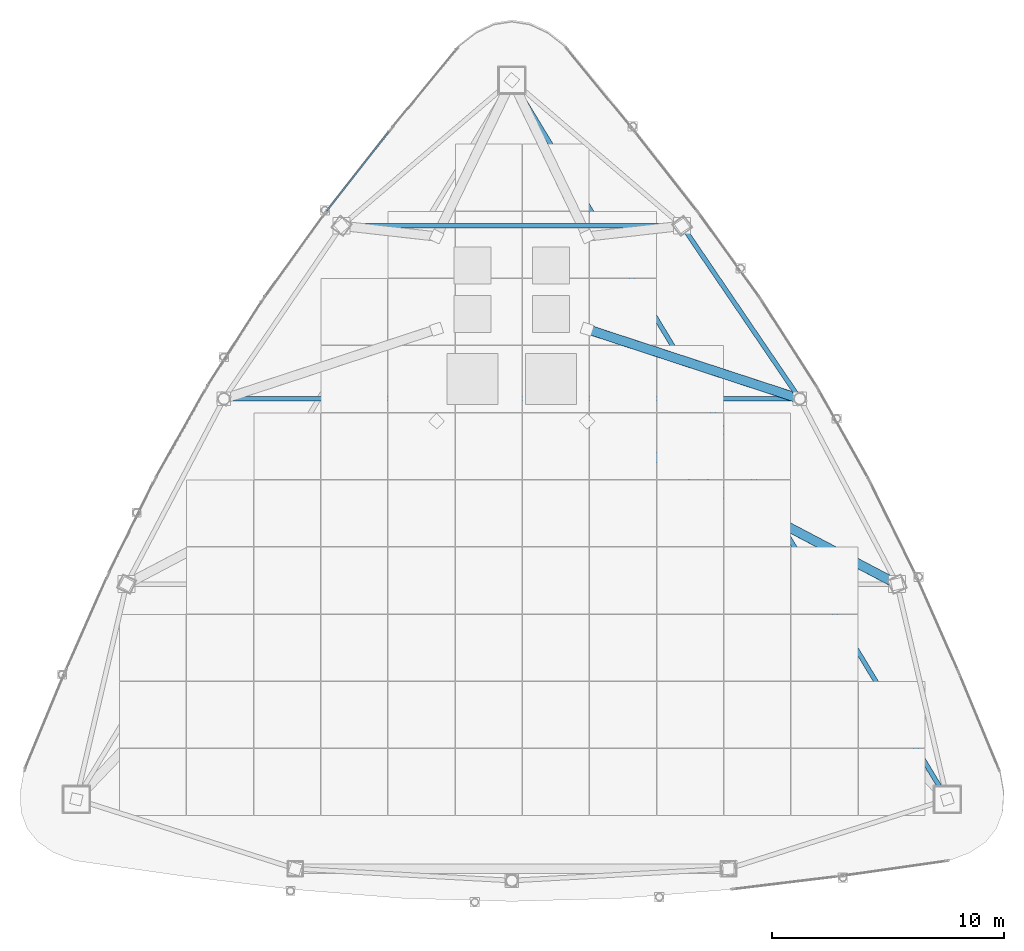
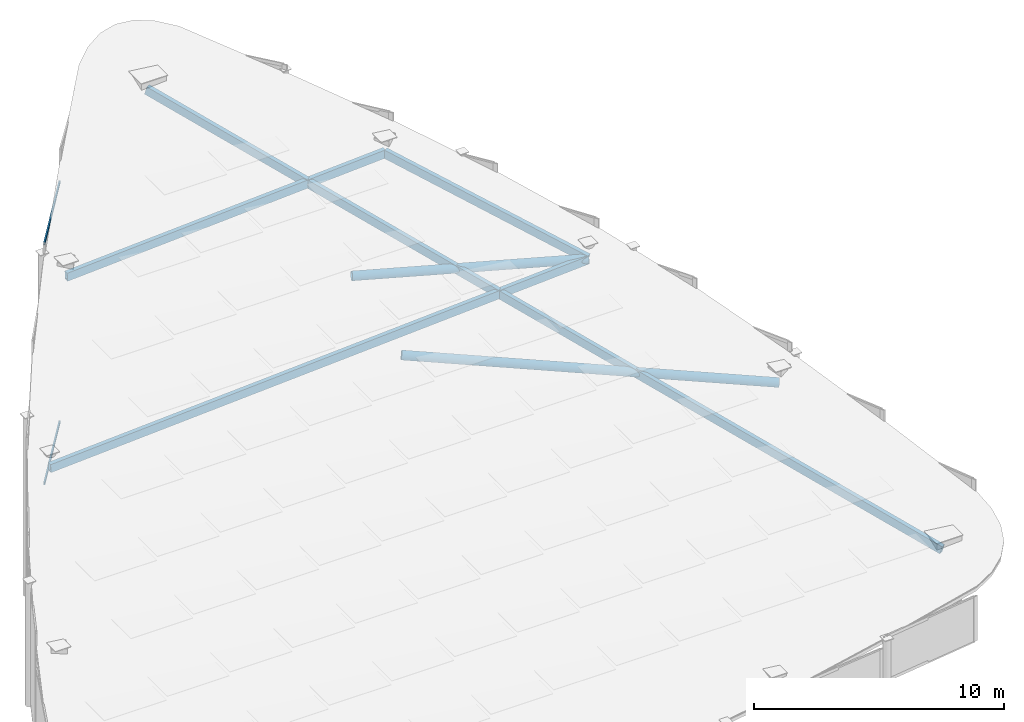
# One storey, part 9 of 21: 8 members, 1 element without a shape of its own.
"""IFC4 building model written with IfcOpenShell, lengths in metres."""

from ifc_helpers import new_model, si_unit, direction, frame, origin, origin_2d, place, context, subcontext, project, spatial, hollow_rectangle, hollow_circle, extrude, material, layer, layer_set, material_profile, profile_set, type_object, element, aggregate, save


model = new_model("IFC4")

# Units and contexts
model_context = context("Model", 3, precision=1e-05, world=origin(), true_north=direction((0.0, 1.0)))
body_context = subcontext(model_context, "Body", "Model", "MODEL_VIEW")
ifc_project = project(units=[si_unit("LENGTHUNIT", "METRE"), si_unit("AREAUNIT", "SQUARE_METRE"), si_unit("VOLUMEUNIT", "CUBIC_METRE"), si_unit("PLANEANGLEUNIT", "RADIAN"), si_unit("MASSUNIT", "GRAM", prefix="KILO")], contexts=[model_context])

# Site, building, storey
site_placement = place(None, origin())
site = spatial("IfcSite", under=ifc_project, at=site_placement, CompositionType="ELEMENT")
building_placement = place(site_placement, origin())
building = spatial("IfcBuilding", under=site, at=building_placement, Name="Orvanel Arch Residences", CompositionType="ELEMENT")
storey_placement = place(building_placement, frame((0.0, 0.0, 314.89990234375)))
storey = spatial("IfcBuildingStorey", under=building, at=storey_placement, Name="RF", CompositionType="ELEMENT", Elevation=314.89990234375)

# Members
ifc_material_1 = material(Name="Structural steel AS/NZS 1163 C350L0 (Grade 350)", Category="steel")
ifc_material_profile_1 = material_profile(ifc_material_1, hollow_rectangle(XDim=0.199951171875, YDim=0.39990234375, WallThickness=0.012451171875, at=origin_2d()), Name="RHS400x200x12.5")
ifc_profile_set_1 = profile_set([ifc_material_profile_1], Name="Structural steel AS/NZS 1163 C350L0 (Grade 350)")
member_type_1 = type_object("IfcMemberType", Name="RF-400RHS-EXT", PredefinedType="RAFTER", material=ifc_profile_set_1)
member_1_placement = place(storey_placement, frame((45.430908203125, 27.64111328125, 8.779052734375), z_axis=(-0.542965631379, 0.798801285793, 0.259045997762), x_axis=(-0.827032035978, -0.562154793153, 0.0)))
element("IfcMember", 1, at=member_1_placement, inside=storey, type_object=member_type_1, Name="RF Slanted Crown Outer Rim Rafter 09", PredefinedType="RAFTER", context=body_context, shape_type="SweptSolid", body=[
    extrude(hollow_rectangle(XDim=0.199951171875, YDim=0.39990234375, WallThickness=0.012451171875, at=origin_2d()), origin(), (0.0, 0.0, 1.0), 9.35400390625),
])
member_2_placement = place(storey_placement, frame((25.64794921875, 35.113037109375, 10.320068359375), z_axis=(0.998205519187, 0.0, 0.059881060982), x_axis=(0.0, 1.0, 0.0)))
element("IfcMember", 2, at=member_2_placement, inside=storey, type_object=member_type_1, Name="RF Slanted Crown Structural Soffit Rafter 01", PredefinedType="RAFTER", context=body_context, shape_type="SweptSolid", body=[
    extrude(hollow_rectangle(XDim=0.199951171875, YDim=0.39990234375, WallThickness=0.012451171875, at=origin_2d()), origin(), (0.0, 0.0, 1.0), 14.73046875),
])
member_3_placement = place(storey_placement, frame((20.569091796875, 27.64111328125, 7.2880859375), z_axis=(0.998206626549, 0.0, 0.059862598625), x_axis=(0.0, 1.0, 0.0)))
element("IfcMember", 3, at=member_3_placement, inside=storey, type_object=member_type_1, Name="RF Slanted Crown Structural Soffit Rafter 02", PredefinedType="RAFTER", context=body_context, shape_type="SweptSolid", body=[
    extrude(hollow_rectangle(XDim=0.199951171875, YDim=0.39990234375, WallThickness=0.012451171875, at=origin_2d()), origin(), (0.0, 0.0, 1.0), 24.906494140625),
])
member_4_placement = place(storey_placement, frame((51.801025390625, 10.35107421875, 2.85107421875), z_axis=(-0.4986622252, 0.823460606608, 0.270644812483), x_axis=(-0.855384164232, -0.51799414242, 0.0)))
element("IfcMember", 4, at=member_4_placement, inside=storey, type_object=member_type_1, Name="RF Slanted Crown Structural Soffit Rafter 05", PredefinedType="RAFTER", context=body_context, shape_type="SweptSolid", body=[
    extrude(hollow_rectangle(XDim=0.199951171875, YDim=0.39990234375, WallThickness=0.012451171875, at=origin_2d()), origin(), (0.0, 0.0, 1.0), 37.702880859375),
])
ifc_material_profile_2 = material_profile(ifc_material_1, hollow_circle(Radius=0.202880859375, WallThickness=0.01611328125, at=origin_2d()), Name="CHS406x16")
ifc_profile_set_2 = profile_set([ifc_material_profile_2], Name="Structural steel AS/NZS 1163 C350L0 (Grade 350)")
member_type_2 = type_object("IfcMemberType", Name="RF-406CHS-EXT", PredefinedType="RAFTER", material=ifc_profile_set_2)
member_5_placement = place(storey_placement, frame((49.633056640625, 19.64208984375, 6.112060546875), z_axis=(-0.879247079114, 0.462055030521, 0.115886680165), x_axis=(-0.465189270523, -0.88521124179, 0.0)))
element("IfcMember", 5, at=member_5_placement, inside=storey, type_object=member_type_2, Name="RF Slanted Crown Structural Soffit Rafter 14", PredefinedType="RAFTER", context=body_context, shape_type="SweptSolid", body=[
    extrude(hollow_circle(Radius=0.202880859375, WallThickness=0.01611328125, at=origin_2d()), origin(), (0.0, 0.0, 1.0), 15.220947265625),
])
member_6_placement = place(storey_placement, frame((45.430908203125, 27.64111328125, 8.779052734375), z_axis=(-0.948745258317, 0.310925051549, 0.056639625181), x_axis=(-0.311424985842, -0.950270739418, 0.0)))
element("IfcMember", 6, at=member_6_placement, inside=storey, type_object=member_type_2, Name="RF Slanted Crown Structural Soffit Rafter 16", PredefinedType="RAFTER", context=body_context, shape_type="SweptSolid", body=[
    extrude(hollow_circle(Radius=0.202880859375, WallThickness=0.01611328125, at=origin_2d()), origin(), (0.0, 0.0, 1.0), 9.677001953125),
])

# Curtain wall, members
ifc_material_2 = material(Name="Bronze-anodised aluminium AA6063-T6", Category="aluminium")
ifc_layer = layer(ifc_material_2, 0.2099609375)
ifc_layer_set = layer_set([ifc_layer], Name="Bronze-anodised aluminium AA6063-T6")
curtain_wall_type = type_object("IfcCurtainWallType", Name="CW7-TOP-SYS", PredefinedType="NOTDEFINED", material=ifc_layer_set)
curtain_wall_placement = place(storey_placement, origin())
curtain_wall = element("IfcCurtainWall", 7, at=curtain_wall_placement, inside=storey, type_object=curtain_wall_type, Name="RF CW7-TOP-SYS Unitised Curtain Wall", PredefinedType="NOTDEFINED")
ifc_material_profile_3 = material_profile(ifc_material_2, hollow_rectangle(XDim=0.06494140625, YDim=0.14990234375, WallThickness=0.00390625, at=origin_2d()), Name="ALU150x65x4")
ifc_profile_set_3 = profile_set([ifc_material_profile_3], Name="Bronze-anodised aluminium AA6063-T6")
member_type_3 = type_object("IfcMemberType", Name="TRN-150x65", PredefinedType="USERDEFINED", material=ifc_profile_set_3)
member_7_placement = place(storey_placement, frame((27.6796875, 39.162109375, 0.03271484375), z_axis=(-0.617160499402, -0.786837288121, 0.0), x_axis=(0.786837288121, -0.617160499402, 0.0)))
member_7 = element("IfcMember", 8, at=member_7_placement, type_object=member_type_3, Name="CW-S7 transom 1.1", ObjectType="TRANSOM", PredefinedType="USERDEFINED", context=body_context, shape_type="SweptSolid", body=[
    extrude(hollow_rectangle(XDim=0.06494140625, YDim=0.14990234375, WallThickness=0.00390625, at=origin_2d()), origin(), (0.0, 0.0, 1.0), 4.32373046875),
])
member_8_placement = place(storey_placement, frame((27.6796875, 39.162109375, 11.74560546875), z_axis=(-0.617160499402, -0.786837288121, 0.0), x_axis=(0.786837288121, -0.617160499402, 0.0)))
member_8 = element("IfcMember", 9, at=member_8_placement, type_object=member_type_3, Name="CW-S7 transom 1.2", ObjectType="TRANSOM", PredefinedType="USERDEFINED", context=body_context, shape_type="SweptSolid", body=[
    extrude(hollow_rectangle(XDim=0.06494140625, YDim=0.14990234375, WallThickness=0.00390625, at=origin_2d()), origin(), (0.0, 0.0, 1.0), 4.32373046875),
])
aggregate(curtain_wall, [member_7, member_8])

save(model, "model.ifc")
